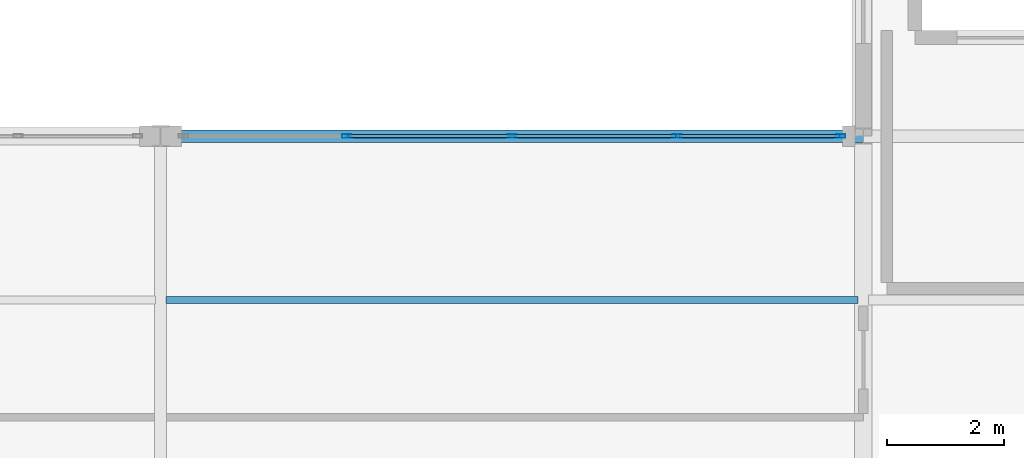
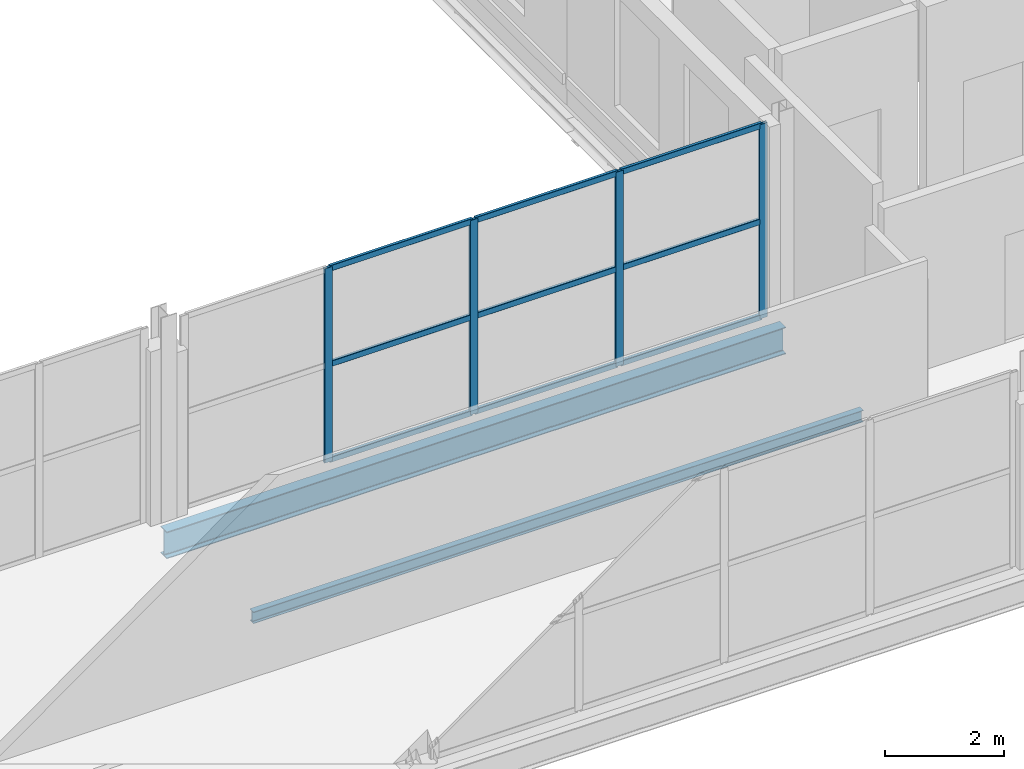
# One storey, part 62 of 101: 13 members, 2 beams, 1 element without a shape of its own.
"""IFC4 building model written with IfcOpenShell, lengths in metres."""

import ifcopenshell
import ifcopenshell.guid

model = None  # the IFC model being written
_history = None  # IfcOwnerHistory: only IFC2X3 demands one
_inside = {}  # id of a spatial element -> (the spatial element, [elements in it])
_under = {}  # id of a project, library or spatial element -> (it, [spatial elements below it])
_declared = {}  # id of a project -> (the project, [libraries it declares])
_typed = {}  # id of a type object -> (the type object, [elements of that type])
_made_of = {}  # id of a material, layer set ... -> (it, [elements and type objects made of it])


def new_model(schema):
    """Start an empty IFC model of exactly this schema.

    Asked for "IFC4X3", IfcOpenShell would pick the latest addendum, in which some entities
    have other attributes; the version numbers below select the first issue.
    IFC2X3 requires an IfcOwnerHistory on every rooted entity: one is made here for all.
    """
    global model, _history
    if schema == "IFC4X3":
        model = ifcopenshell.file(schema_version=(4, 3, 0, 0))
    else:
        model = ifcopenshell.file(schema=schema)
    _inside.clear()
    _under.clear()
    _declared.clear()
    _typed.clear()
    _made_of.clear()
    _history = None
    if model.schema == "IFC2X3":
        org = make("IfcOrganization", Name="unknown")
        user = make(
            "IfcPersonAndOrganization",
            ThePerson=make("IfcPerson", FamilyName="unknown"),
            TheOrganization=org,
        )
        app = make(
            "IfcApplication",
            ApplicationDeveloper=org,
            Version="unknown",
            ApplicationFullName="unknown",
            ApplicationIdentifier="unknown",
        )
        _history = make(
            "IfcOwnerHistory",
            OwningUser=user,
            OwningApplication=app,
            ChangeAction="ADDED",
            CreationDate=0,
        )
    return model


def make(cls, **values):
    """One entity of the class cls with the attributes given. An attribute that is None is left unset."""
    return model.create_entity(
        cls, **{name: value for name, value in values.items() if value is not None}
    )


def rooted(cls, **values):
    """An entity with a GlobalId (a new one), such as an element, a storey or a relation."""
    return make(cls, GlobalId=ifcopenshell.guid.new(), OwnerHistory=_history, **values)


def si_unit(unit_type, name, prefix=None):
    """IfcSIUnit, for example si_unit("LENGTHUNIT", "METRE", prefix="MILLI")."""
    return make("IfcSIUnit", UnitType=unit_type, Prefix=prefix, Name=name)


def assignment(units):
    """IfcUnitAssignment: the units of a project."""
    return None if units is None else make("IfcUnitAssignment", Units=units)


def point(xyz):
    """IfcCartesianPoint."""
    return None if xyz is None else make("IfcCartesianPoint", Coordinates=xyz)


def direction(xyz):
    """IfcDirection."""
    return None if xyz is None else make("IfcDirection", DirectionRatios=xyz)


def frame(location, z_axis=None, x_axis=None):
    """IfcAxis2Placement3D, a coordinate frame: its origin and axes. An axis left out is left unset."""
    return make(
        "IfcAxis2Placement3D",
        Location=point(location),
        Axis=direction(z_axis),
        RefDirection=direction(x_axis),
    )


def frame_2d(location, x_axis=None):
    """IfcAxis2Placement2D, a coordinate frame in the plane: its origin and x axis."""
    return make(
        "IfcAxis2Placement2D", Location=point(location), RefDirection=direction(x_axis)
    )


def origin():
    """The frame at (0, 0, 0) with its axes left unset."""
    return frame((0.0, 0.0, 0.0))


def origin_2d():
    """The frame at (0, 0) in the plane with its x axis left unset."""
    return frame_2d((0.0, 0.0))


def place(relative_to, where):
    """IfcLocalPlacement: puts the frame where relative to a parent placement (None: the world)."""
    return make(
        "IfcLocalPlacement", PlacementRelTo=relative_to, RelativePlacement=where
    )


def context(
    kind, dimensions, precision=None, world=None, true_north=None, identifier=None
):
    """IfcGeometricRepresentationContext, for example the 3D "Model" context."""
    return make(
        "IfcGeometricRepresentationContext",
        ContextIdentifier=identifier,
        ContextType=kind,
        CoordinateSpaceDimension=dimensions,
        Precision=precision,
        WorldCoordinateSystem=world,
        TrueNorth=true_north,
    )


def subcontext(parent, identifier, kind, view, scale=None):
    """IfcGeometricRepresentationSubContext, for example "Body" below "Model"."""
    return make(
        "IfcGeometricRepresentationSubContext",
        ContextIdentifier=identifier,
        ContextType=kind,
        ParentContext=parent,
        TargetScale=scale,
        TargetView=view,
    )


def project(units=None, contexts=None):
    """IfcProject with its units and contexts."""
    return rooted(
        "IfcProject",
        Name="project",
        RepresentationContexts=contexts,
        UnitsInContext=assignment(units),
    )


def spatial(cls, under=None, at=None, **own):
    """A site, building, storey or space (cls), placed at a placement, below another one or the project."""
    s = rooted(cls, ObjectPlacement=at, **own)
    if under is not None:
        _under.setdefault(under.id(), (under, []))[1].append(s)
    return s


def profile(cls, at=None, kind="AREA", **sizes):
    """A parametric profile (cls). Its sizes go by their IFC names, for example OverallWidth=200.0."""
    return make(cls, ProfileType=kind, Position=at, **sizes)


def hollow_rectangle(**sizes):
    """IfcRectangleHollowProfileDef."""
    return profile("IfcRectangleHollowProfileDef", **sizes)


def i_section(**sizes):
    """IfcIShapeProfileDef."""
    return profile("IfcIShapeProfileDef", **sizes)


def extrude(swept, where, along, depth):
    """IfcExtrudedAreaSolid: the profile swept, set in the frame where, extruded along a direction by depth."""
    return make(
        "IfcExtrudedAreaSolid",
        SweptArea=swept,
        Position=where,
        ExtrudedDirection=direction(along),
        Depth=depth,
    )


def shape(context_of_items, identifier, shape_type, items):
    """IfcShapeRepresentation: the items that make up one representation, for example the "Body"."""
    return make(
        "IfcShapeRepresentation",
        ContextOfItems=context_of_items,
        RepresentationIdentifier=identifier,
        RepresentationType=shape_type,
        Items=items,
    )


def material(Name=None, Category=None):
    """IfcMaterial."""
    return make("IfcMaterial", Name=Name, Category=Category)


def layer(
    of_material, thickness, ventilated=None, Name=None, Category=None, Priority=None
):
    """IfcMaterialLayer: one layer of a wall or slab, of a material (None: an air gap)."""
    return make(
        "IfcMaterialLayer",
        Material=of_material,
        LayerThickness=thickness,
        IsVentilated=ventilated,
        Name=Name,
        Category=Category,
        Priority=Priority,
    )


def layer_set(layers, Name=None):
    """IfcMaterialLayerSet."""
    return make("IfcMaterialLayerSet", MaterialLayers=layers, LayerSetName=Name)


def material_profile(
    of_material, cross_section, Name=None, Category=None, Priority=None
):
    """IfcMaterialProfile: a cross section and its material."""
    return make(
        "IfcMaterialProfile",
        Name=Name,
        Material=of_material,
        Profile=cross_section,
        Priority=Priority,
        Category=Category,
    )


def profile_set(profiles, Name=None, composite=None):
    """IfcMaterialProfileSet."""
    return make(
        "IfcMaterialProfileSet",
        Name=Name,
        MaterialProfiles=profiles,
        CompositeProfile=composite,
    )


def made_of(thing, what):
    """Note that an element or type object is made of a material, layer set ...; save() writes the relation."""
    if what is not None:
        _made_of.setdefault(what.id(), (what, []))[1].append(thing)
    return thing


def type_object(cls, material=None, **own):
    """A type object (cls), such as IfcWallType, which elements share."""
    return made_of(rooted(cls, **own), material)


def element(
    cls,
    number,
    at=None,
    inside=None,
    cuts=None,
    type_object=None,
    material=None,
    context=None,
    identifier="Body",
    shape_type=None,
    held_by="IfcProductDefinitionShape",
    body=None,
    shapes=None,
    **own,
):
    """One element of the class cls, such as IfcWall. Its Tag is "e" and its number.

    at: its placement. inside: the storey or other place that contains it. cuts: it is an
    opening in that element (IfcRelVoidsElement). A single representation is given by context,
    identifier, shape_type and body (its items); several are given by shapes. held_by: the class
    of the entity that holds the representations. save() writes the other relations.
    """
    e = rooted(cls, Tag="e%d" % number, ObjectPlacement=at, **own)
    if body is not None:
        shapes = [shape(context, identifier, shape_type, body)]
    if shapes is not None:
        e.Representation = make(held_by, Representations=shapes)
    if inside is not None:
        _inside.setdefault(inside.id(), (inside, []))[1].append(e)
    if cuts is not None:
        rooted(
            "IfcRelVoidsElement", RelatingBuildingElement=cuts, RelatedOpeningElement=e
        )
    if type_object is not None:
        _typed.setdefault(type_object.id(), (type_object, []))[1].append(e)
    return made_of(e, material)


def aggregate(whole, parts):
    """IfcRelAggregates: a whole, such as a stair, and the parts it consists of."""
    return rooted("IfcRelAggregates", RelatingObject=whole, RelatedObjects=parts)


def save(model, path):
    """Write the relations noted so far, then the file.

    IfcRelAggregates (storeys below a building ...), IfcRelContainedInSpatialStructure (elements
    in a storey), IfcRelDefinesByType, IfcRelAssociatesMaterial and IfcRelDeclares: one each for
    every whole, place, type object, material and project.
    """
    for whole, parts in _under.values():
        aggregate(whole, parts)
    for where, things in _inside.values():
        rooted(
            "IfcRelContainedInSpatialStructure",
            RelatedElements=things,
            RelatingStructure=where,
        )
    for kind, things in _typed.values():
        rooted("IfcRelDefinesByType", RelatedObjects=things, RelatingType=kind)
    for what, things in _made_of.values():
        rooted("IfcRelAssociatesMaterial", RelatedObjects=things, RelatingMaterial=what)
    for by, libraries in _declared.values():
        rooted("IfcRelDeclares", RelatingContext=by, RelatedDefinitions=libraries)
    model.write(path)


model = new_model("IFC4")

# Units and contexts
model_context = context("Model", 3, precision=1e-05, world=origin(), true_north=direction((0.0, 1.0)))
body_context = subcontext(model_context, "Body", "Model", "MODEL_VIEW")
ifc_project = project(units=[si_unit("LENGTHUNIT", "METRE"), si_unit("AREAUNIT", "SQUARE_METRE"), si_unit("VOLUMEUNIT", "CUBIC_METRE"), si_unit("PLANEANGLEUNIT", "RADIAN"), si_unit("MASSUNIT", "GRAM", prefix="KILO")], contexts=[model_context])

# Site, building, storey
site_placement = place(None, origin())
site = spatial("IfcSite", under=ifc_project, at=site_placement, CompositionType="ELEMENT")
building_placement = place(site_placement, origin())
building = spatial("IfcBuilding", under=site, at=building_placement, Name="Vekula Escarpment Museum", CompositionType="ELEMENT")
storey_placement = place(building_placement, frame((0.0, 0.0, 18.0)))
storey = spatial("IfcBuildingStorey", under=building, at=storey_placement, Name="L04", CompositionType="ELEMENT", Elevation=18.0)

# Beams
ifc_material_1 = material(Name="Steel S355", Category="steel")
ifc_material_profile_1 = material_profile(ifc_material_1, i_section(OverallWidth=0.2099609375, OverallDepth=0.550048828125, WebThickness=0.010986328125, FlangeThickness=0.01708984375, FilletRadius=0.02392578125, at=origin_2d()), Name="IPE 550")
ifc_profile_set_1 = profile_set([ifc_material_profile_1], Name="Steel S355")
beam_type_1 = type_object("IfcBeamType", Name="BM-GIRD-IPE550", PredefinedType="BEAM", material=ifc_profile_set_1)
beam_1_placement = place(storey_placement, frame((155.0, 76.39990234375, -0.554931640625), z_axis=(1.0, 0.0, 0.0), x_axis=(0.0, 1.0, 0.0)))
element("IfcBeam", 1, at=beam_1_placement, inside=storey, type_object=beam_type_1, Name="Beam X L04 1759", PredefinedType="BEAM", context=body_context, shape_type="SweptSolid", body=[
    extrude(i_section(OverallWidth=0.2099609375, OverallDepth=0.550048828125, WebThickness=0.010986328125, FlangeThickness=0.01708984375, FilletRadius=0.02392578125, at=origin_2d()), origin(), (0.0, 0.0, 1.0), 12.0),
])
ifc_material_2 = material(Name="Steel S355", Category="steel")
ifc_material_profile_2 = material_profile(ifc_material_2, i_section(OverallWidth=0.1201171875, OverallDepth=0.239990234375, WebThickness=0.006103515625, FlangeThickness=0.009765625, FilletRadius=0.014892578125, at=origin_2d()), Name="IPE 240")
ifc_profile_set_2 = profile_set([ifc_material_profile_2], Name="Steel S355")
beam_type_2 = type_object("IfcBeamType", Name="BM-JST-IPE240", PredefinedType="JOIST", material=ifc_profile_set_2)
beam_2_placement = place(storey_placement, frame((155.090087890625, 73.60009765625, -0.39990234375), z_axis=(1.0, 0.0, 0.0), x_axis=(0.0, 1.0, 0.0)))
element("IfcBeam", 2, at=beam_2_placement, inside=storey, type_object=beam_type_2, Name="Secondary Joist L04 1245", PredefinedType="JOIST", context=body_context, shape_type="SweptSolid", body=[
    extrude(i_section(OverallWidth=0.1201171875, OverallDepth=0.239990234375, WebThickness=0.006103515625, FlangeThickness=0.009765625, FilletRadius=0.014892578125, at=origin_2d()), origin(), (0.0, 0.0, 1.0), 11.81982421875),
])

# Curtain wall, members
ifc_material_3 = material(Name="Aluminium thermally broken framing", Category="aluminium")
ifc_layer = layer(ifc_material_3, 0.179931640625)
ifc_layer_set = layer_set([ifc_layer], Name="Aluminium thermally broken framing")
curtain_wall_type = type_object("IfcCurtainWallType", Name="CW-SYS-08", PredefinedType="NOTDEFINED", material=ifc_layer_set)
curtain_wall_placement = place(storey_placement, origin())
curtain_wall = element("IfcCurtainWall", 3, at=curtain_wall_placement, inside=storey, type_object=curtain_wall_type, Name="Curtain Wall CW-L04-148", PredefinedType="NOTDEFINED")
ifc_material_4 = material(Name="Aluminium anodized mullion", Category="aluminium")
ifc_material_profile_3 = material_profile(ifc_material_4, hollow_rectangle(XDim=0.06005859375, YDim=0.159912109375, WallThickness=0.00390625, InnerFilletRadius=0.00390625, OuterFilletRadius=0.008056640625, at=origin_2d()), Name="ALU 160x60x4")
ifc_profile_set_3 = profile_set([ifc_material_profile_3], Name="Aluminium anodized mullion")
member_type_1 = type_object("IfcMemberType", Name="CW-MUL-160", PredefinedType="MULLION", material=ifc_profile_set_3)
member_1_placement = place(storey_placement, frame((166.610107421875, 76.39990234375, 0.0), z_axis=(0.0, 0.0, 1.0), x_axis=(0.0, -1.0, 0.0)))
member_1 = element("IfcMember", 4, at=member_1_placement, type_object=member_type_1, Name="CW-08 mullion 1", PredefinedType="MULLION", context=body_context, shape_type="SweptSolid", body=[
    extrude(hollow_rectangle(XDim=0.06005859375, YDim=0.159912109375, WallThickness=0.00390625, InnerFilletRadius=0.00390625, OuterFilletRadius=0.008056640625, at=origin_2d()), origin(), (0.0, 0.0, 1.0), 3.97998046875),
])
member_2_placement = place(storey_placement, frame((163.820068359375, 76.39990234375, 0.0), z_axis=(0.0, 0.0, 1.0), x_axis=(0.0, -1.0, 0.0)))
member_2 = element("IfcMember", 5, at=member_2_placement, type_object=member_type_1, Name="CW-08 mullion 2", PredefinedType="MULLION", context=body_context, shape_type="SweptSolid", body=[
    extrude(hollow_rectangle(XDim=0.06005859375, YDim=0.159912109375, WallThickness=0.00390625, InnerFilletRadius=0.00390625, OuterFilletRadius=0.008056640625, at=origin_2d()), origin(), (0.0, 0.0, 1.0), 3.97998046875),
])
member_3_placement = place(storey_placement, frame((161.0, 76.39990234375, 0.0), z_axis=(0.0, 0.0, 1.0), x_axis=(0.0, -1.0, 0.0)))
member_3 = element("IfcMember", 6, at=member_3_placement, type_object=member_type_1, Name="CW-08 mullion 3", PredefinedType="MULLION", context=body_context, shape_type="SweptSolid", body=[
    extrude(hollow_rectangle(XDim=0.06005859375, YDim=0.159912109375, WallThickness=0.00390625, InnerFilletRadius=0.00390625, OuterFilletRadius=0.008056640625, at=origin_2d()), origin(), (0.0, 0.0, 1.0), 3.97998046875),
])
member_4_placement = place(storey_placement, frame((158.179931640625, 76.39990234375, 0.0), z_axis=(0.0, 0.0, 1.0), x_axis=(0.0, -1.0, 0.0)))
member_4 = element("IfcMember", 7, at=member_4_placement, type_object=member_type_1, Name="CW-08 mullion 4", PredefinedType="MULLION", context=body_context, shape_type="SweptSolid", body=[
    extrude(hollow_rectangle(XDim=0.06005859375, YDim=0.159912109375, WallThickness=0.00390625, InnerFilletRadius=0.00390625, OuterFilletRadius=0.008056640625, at=origin_2d()), origin(), (0.0, 0.0, 1.0), 3.97998046875),
])
ifc_material_5 = material(Name="Aluminium anodized transom", Category="aluminium")
ifc_material_profile_4 = material_profile(ifc_material_5, hollow_rectangle(XDim=0.06005859375, YDim=0.1201171875, WallThickness=0.00390625, InnerFilletRadius=0.00390625, OuterFilletRadius=0.008056640625, at=origin_2d()), Name="ALU 120x60x4")
ifc_profile_set_4 = profile_set([ifc_material_profile_4], Name="Aluminium anodized transom")
member_type_2 = type_object("IfcMemberType", Name="CW-TRN-120", PredefinedType="USERDEFINED", material=ifc_profile_set_4)
member_5_placement = place(storey_placement, frame((166.580078125, 76.39990234375, 0.030029296875), z_axis=(-1.0, 0.0, 0.0), x_axis=(0.0, -1.0, 0.0)))
member_5 = element("IfcMember", 8, at=member_5_placement, type_object=member_type_2, Name="CW-08 transom 1.1", ObjectType="TRANSOM", PredefinedType="USERDEFINED", context=body_context, shape_type="SweptSolid", body=[
    extrude(hollow_rectangle(XDim=0.06005859375, YDim=0.1201171875, WallThickness=0.00390625, InnerFilletRadius=0.00390625, OuterFilletRadius=0.008056640625, at=origin_2d()), origin(), (0.0, 0.0, 1.0), 2.72998046875),
])
member_6_placement = place(storey_placement, frame((166.580078125, 76.39990234375, 1.989990234375), z_axis=(-1.0, 0.0, 0.0), x_axis=(0.0, -1.0, 0.0)))
member_6 = element("IfcMember", 9, at=member_6_placement, type_object=member_type_2, Name="CW-08 transom 1.2", ObjectType="TRANSOM", PredefinedType="USERDEFINED", context=body_context, shape_type="SweptSolid", body=[
    extrude(hollow_rectangle(XDim=0.06005859375, YDim=0.1201171875, WallThickness=0.00390625, InnerFilletRadius=0.00390625, OuterFilletRadius=0.008056640625, at=origin_2d()), origin(), (0.0, 0.0, 1.0), 2.72998046875),
])
member_7_placement = place(storey_placement, frame((166.580078125, 76.39990234375, 3.949951171875), z_axis=(-1.0, 0.0, 0.0), x_axis=(0.0, -1.0, 0.0)))
member_7 = element("IfcMember", 10, at=member_7_placement, type_object=member_type_2, Name="CW-08 transom 1.3", ObjectType="TRANSOM", PredefinedType="USERDEFINED", context=body_context, shape_type="SweptSolid", body=[
    extrude(hollow_rectangle(XDim=0.06005859375, YDim=0.1201171875, WallThickness=0.00390625, InnerFilletRadius=0.00390625, OuterFilletRadius=0.008056640625, at=origin_2d()), origin(), (0.0, 0.0, 1.0), 2.72998046875),
])
member_8_placement = place(storey_placement, frame((163.7900390625, 76.39990234375, 0.030029296875), z_axis=(-1.0, 0.0, 0.0), x_axis=(0.0, -1.0, 0.0)))
member_8 = element("IfcMember", 11, at=member_8_placement, type_object=member_type_2, Name="CW-08 transom 2.1", ObjectType="TRANSOM", PredefinedType="USERDEFINED", context=body_context, shape_type="SweptSolid", body=[
    extrude(hollow_rectangle(XDim=0.06005859375, YDim=0.1201171875, WallThickness=0.00390625, InnerFilletRadius=0.00390625, OuterFilletRadius=0.008056640625, at=origin_2d()), origin(), (0.0, 0.0, 1.0), 2.760009765625),
])
member_9_placement = place(storey_placement, frame((163.7900390625, 76.39990234375, 1.989990234375), z_axis=(-1.0, 0.0, 0.0), x_axis=(0.0, -1.0, 0.0)))
member_9 = element("IfcMember", 12, at=member_9_placement, type_object=member_type_2, Name="CW-08 transom 2.2", ObjectType="TRANSOM", PredefinedType="USERDEFINED", context=body_context, shape_type="SweptSolid", body=[
    extrude(hollow_rectangle(XDim=0.06005859375, YDim=0.1201171875, WallThickness=0.00390625, InnerFilletRadius=0.00390625, OuterFilletRadius=0.008056640625, at=origin_2d()), origin(), (0.0, 0.0, 1.0), 2.760009765625),
])
member_10_placement = place(storey_placement, frame((163.7900390625, 76.39990234375, 3.949951171875), z_axis=(-1.0, 0.0, 0.0), x_axis=(0.0, -1.0, 0.0)))
member_10 = element("IfcMember", 13, at=member_10_placement, type_object=member_type_2, Name="CW-08 transom 2.3", ObjectType="TRANSOM", PredefinedType="USERDEFINED", context=body_context, shape_type="SweptSolid", body=[
    extrude(hollow_rectangle(XDim=0.06005859375, YDim=0.1201171875, WallThickness=0.00390625, InnerFilletRadius=0.00390625, OuterFilletRadius=0.008056640625, at=origin_2d()), origin(), (0.0, 0.0, 1.0), 2.760009765625),
])
member_11_placement = place(storey_placement, frame((160.969970703125, 76.39990234375, 0.030029296875), z_axis=(-1.0, 0.0, 0.0), x_axis=(0.0, -1.0, 0.0)))
member_11 = element("IfcMember", 14, at=member_11_placement, type_object=member_type_2, Name="CW-08 transom 3.1", ObjectType="TRANSOM", PredefinedType="USERDEFINED", context=body_context, shape_type="SweptSolid", body=[
    extrude(hollow_rectangle(XDim=0.06005859375, YDim=0.1201171875, WallThickness=0.00390625, InnerFilletRadius=0.00390625, OuterFilletRadius=0.008056640625, at=origin_2d()), origin(), (0.0, 0.0, 1.0), 2.760009765625),
])
member_12_placement = place(storey_placement, frame((160.969970703125, 76.39990234375, 1.989990234375), z_axis=(-1.0, 0.0, 0.0), x_axis=(0.0, -1.0, 0.0)))
member_12 = element("IfcMember", 15, at=member_12_placement, type_object=member_type_2, Name="CW-08 transom 3.2", ObjectType="TRANSOM", PredefinedType="USERDEFINED", context=body_context, shape_type="SweptSolid", body=[
    extrude(hollow_rectangle(XDim=0.06005859375, YDim=0.1201171875, WallThickness=0.00390625, InnerFilletRadius=0.00390625, OuterFilletRadius=0.008056640625, at=origin_2d()), origin(), (0.0, 0.0, 1.0), 2.760009765625),
])
member_13_placement = place(storey_placement, frame((160.969970703125, 76.39990234375, 3.949951171875), z_axis=(-1.0, 0.0, 0.0), x_axis=(0.0, -1.0, 0.0)))
member_13 = element("IfcMember", 16, at=member_13_placement, type_object=member_type_2, Name="CW-08 transom 3.3", ObjectType="TRANSOM", PredefinedType="USERDEFINED", context=body_context, shape_type="SweptSolid", body=[
    extrude(hollow_rectangle(XDim=0.06005859375, YDim=0.1201171875, WallThickness=0.00390625, InnerFilletRadius=0.00390625, OuterFilletRadius=0.008056640625, at=origin_2d()), origin(), (0.0, 0.0, 1.0), 2.760009765625),
])
aggregate(curtain_wall, [member_1, member_2, member_3, member_4, member_5, member_6, member_7, member_8, member_9, member_10, member_11, member_12, member_13])

save(model, "model.ifc")
